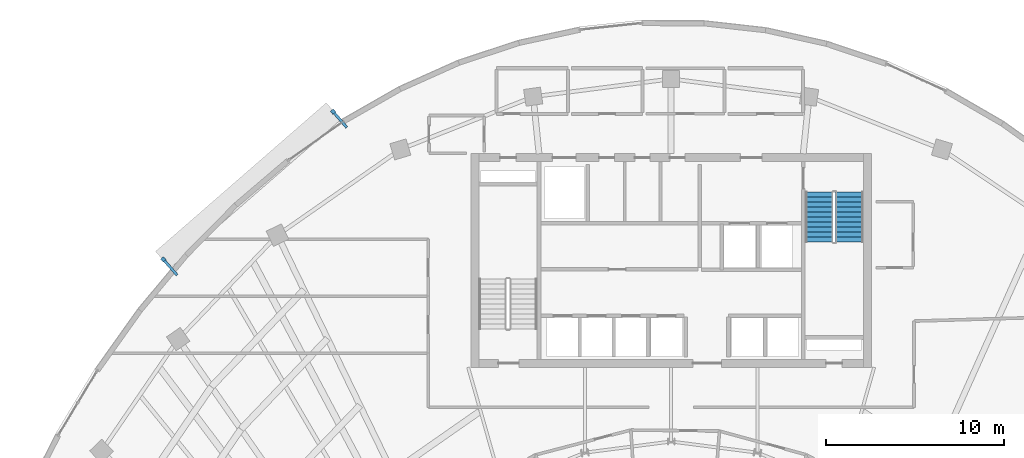
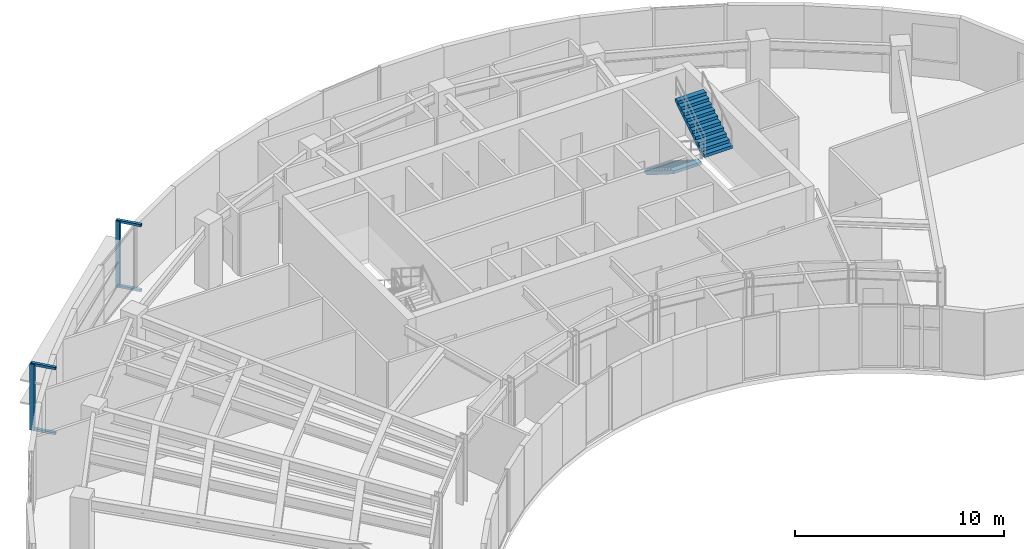
# One storey, part 11 of 12: 6 discrete accessories, 2 stair flights, 1 element without a shape of its own.
"""IFC4 building model written with IfcOpenShell, lengths in metres."""

import ifcopenshell
import ifcopenshell.guid

model = None  # the IFC model being written
_history = None  # IfcOwnerHistory: only IFC2X3 demands one
_inside = {}  # id of a spatial element -> (the spatial element, [elements in it])
_under = {}  # id of a project, library or spatial element -> (it, [spatial elements below it])
_declared = {}  # id of a project -> (the project, [libraries it declares])
_typed = {}  # id of a type object -> (the type object, [elements of that type])
_made_of = {}  # id of a material, layer set ... -> (it, [elements and type objects made of it])


def new_model(schema):
    """Start an empty IFC model of exactly this schema.

    Asked for "IFC4X3", IfcOpenShell would pick the latest addendum, in which some entities
    have other attributes; the version numbers below select the first issue.
    IFC2X3 requires an IfcOwnerHistory on every rooted entity: one is made here for all.
    """
    global model, _history
    if schema == "IFC4X3":
        model = ifcopenshell.file(schema_version=(4, 3, 0, 0))
    else:
        model = ifcopenshell.file(schema=schema)
    _inside.clear()
    _under.clear()
    _declared.clear()
    _typed.clear()
    _made_of.clear()
    _history = None
    if model.schema == "IFC2X3":
        org = make("IfcOrganization", Name="unknown")
        user = make(
            "IfcPersonAndOrganization",
            ThePerson=make("IfcPerson", FamilyName="unknown"),
            TheOrganization=org,
        )
        app = make(
            "IfcApplication",
            ApplicationDeveloper=org,
            Version="unknown",
            ApplicationFullName="unknown",
            ApplicationIdentifier="unknown",
        )
        _history = make(
            "IfcOwnerHistory",
            OwningUser=user,
            OwningApplication=app,
            ChangeAction="ADDED",
            CreationDate=0,
        )
    return model


def make(cls, **values):
    """One entity of the class cls with the attributes given. An attribute that is None is left unset."""
    return model.create_entity(
        cls, **{name: value for name, value in values.items() if value is not None}
    )


def rooted(cls, **values):
    """An entity with a GlobalId (a new one), such as an element, a storey or a relation."""
    return make(cls, GlobalId=ifcopenshell.guid.new(), OwnerHistory=_history, **values)


def si_unit(unit_type, name, prefix=None):
    """IfcSIUnit, for example si_unit("LENGTHUNIT", "METRE", prefix="MILLI")."""
    return make("IfcSIUnit", UnitType=unit_type, Prefix=prefix, Name=name)


def assignment(units):
    """IfcUnitAssignment: the units of a project."""
    return None if units is None else make("IfcUnitAssignment", Units=units)


def point(xyz):
    """IfcCartesianPoint."""
    return None if xyz is None else make("IfcCartesianPoint", Coordinates=xyz)


def direction(xyz):
    """IfcDirection."""
    return None if xyz is None else make("IfcDirection", DirectionRatios=xyz)


def frame(location, z_axis=None, x_axis=None):
    """IfcAxis2Placement3D, a coordinate frame: its origin and axes. An axis left out is left unset."""
    return make(
        "IfcAxis2Placement3D",
        Location=point(location),
        Axis=direction(z_axis),
        RefDirection=direction(x_axis),
    )


def frame_2d(location, x_axis=None):
    """IfcAxis2Placement2D, a coordinate frame in the plane: its origin and x axis."""
    return make(
        "IfcAxis2Placement2D", Location=point(location), RefDirection=direction(x_axis)
    )


def origin():
    """The frame at (0, 0, 0) with its axes left unset."""
    return frame((0.0, 0.0, 0.0))


def origin_2d():
    """The frame at (0, 0) in the plane with its x axis left unset."""
    return frame_2d((0.0, 0.0))


def place(relative_to, where):
    """IfcLocalPlacement: puts the frame where relative to a parent placement (None: the world)."""
    return make(
        "IfcLocalPlacement", PlacementRelTo=relative_to, RelativePlacement=where
    )


def context(
    kind, dimensions, precision=None, world=None, true_north=None, identifier=None
):
    """IfcGeometricRepresentationContext, for example the 3D "Model" context."""
    return make(
        "IfcGeometricRepresentationContext",
        ContextIdentifier=identifier,
        ContextType=kind,
        CoordinateSpaceDimension=dimensions,
        Precision=precision,
        WorldCoordinateSystem=world,
        TrueNorth=true_north,
    )


def subcontext(parent, identifier, kind, view, scale=None):
    """IfcGeometricRepresentationSubContext, for example "Body" below "Model"."""
    return make(
        "IfcGeometricRepresentationSubContext",
        ContextIdentifier=identifier,
        ContextType=kind,
        ParentContext=parent,
        TargetScale=scale,
        TargetView=view,
    )


def project(units=None, contexts=None):
    """IfcProject with its units and contexts."""
    return rooted(
        "IfcProject",
        Name="project",
        RepresentationContexts=contexts,
        UnitsInContext=assignment(units),
    )


def spatial(cls, under=None, at=None, **own):
    """A site, building, storey or space (cls), placed at a placement, below another one or the project."""
    s = rooted(cls, ObjectPlacement=at, **own)
    if under is not None:
        _under.setdefault(under.id(), (under, []))[1].append(s)
    return s


def polyline(points):
    """IfcPolyline through the points."""
    return make("IfcPolyline", Points=[point(p) for p in points])


def profile(cls, at=None, kind="AREA", **sizes):
    """A parametric profile (cls). Its sizes go by their IFC names, for example OverallWidth=200.0."""
    return make(cls, ProfileType=kind, Position=at, **sizes)


def rectangle(**sizes):
    """IfcRectangleProfileDef."""
    return profile("IfcRectangleProfileDef", **sizes)


def outline(outer, holes=None, kind="AREA"):
    """IfcArbitraryClosedProfileDef: a profile drawn as a closed curve; with holes, ...WithVoids."""
    if holes is None:
        return make("IfcArbitraryClosedProfileDef", ProfileType=kind, OuterCurve=outer)
    return make(
        "IfcArbitraryProfileDefWithVoids",
        ProfileType=kind,
        OuterCurve=outer,
        InnerCurves=holes,
    )


def extrude(swept, where, along, depth):
    """IfcExtrudedAreaSolid: the profile swept, set in the frame where, extruded along a direction by depth."""
    return make(
        "IfcExtrudedAreaSolid",
        SweptArea=swept,
        Position=where,
        ExtrudedDirection=direction(along),
        Depth=depth,
    )


def shape(context_of_items, identifier, shape_type, items):
    """IfcShapeRepresentation: the items that make up one representation, for example the "Body"."""
    return make(
        "IfcShapeRepresentation",
        ContextOfItems=context_of_items,
        RepresentationIdentifier=identifier,
        RepresentationType=shape_type,
        Items=items,
    )


def source(mapping_origin, context_of_items, identifier, shape_type, items):
    """IfcRepresentationMap: a shape defined once, which mapped items show again and again."""
    return make(
        "IfcRepresentationMap",
        MappingOrigin=mapping_origin,
        MappedRepresentation=shape(context_of_items, identifier, shape_type, items),
    )


def transform(
    local_origin,
    x_axis=None,
    y_axis=None,
    z_axis=None,
    scale=None,
    scale2=None,
    scale3=None,
    uniform=True,
):
    """IfcCartesianTransformationOperator3D, or its non-uniform kind. x_axis, y_axis, z_axis: its Axis1, 2, 3."""
    if uniform:
        return make(
            "IfcCartesianTransformationOperator3D",
            Axis1=direction(x_axis),
            Axis2=direction(y_axis),
            LocalOrigin=point(local_origin),
            Scale=scale,
            Axis3=direction(z_axis),
        )
    return make(
        "IfcCartesianTransformationOperator3DnonUniform",
        Axis1=direction(x_axis),
        Axis2=direction(y_axis),
        LocalOrigin=point(local_origin),
        Scale=scale,
        Axis3=direction(z_axis),
        Scale2=scale2,
        Scale3=scale3,
    )


def mapped(mapping_source, mapping_target):
    """IfcMappedItem: shows the shape of a source again, moved by a transform."""
    return make(
        "IfcMappedItem", MappingSource=mapping_source, MappingTarget=mapping_target
    )


def material(Name=None, Category=None):
    """IfcMaterial."""
    return make("IfcMaterial", Name=Name, Category=Category)


def made_of(thing, what):
    """Note that an element or type object is made of a material, layer set ...; save() writes the relation."""
    if what is not None:
        _made_of.setdefault(what.id(), (what, []))[1].append(thing)
    return thing


def type_object(cls, material=None, **own):
    """A type object (cls), such as IfcWallType, which elements share."""
    return made_of(rooted(cls, **own), material)


def type_shapes(of_type, sources):
    """Give a type object the sources (RepresentationMaps) that its elements show as mapped items."""
    of_type.RepresentationMaps = sources


def element(
    cls,
    number,
    at=None,
    inside=None,
    cuts=None,
    type_object=None,
    material=None,
    context=None,
    identifier="Body",
    shape_type=None,
    held_by="IfcProductDefinitionShape",
    body=None,
    shapes=None,
    **own,
):
    """One element of the class cls, such as IfcWall. Its Tag is "e" and its number.

    at: its placement. inside: the storey or other place that contains it. cuts: it is an
    opening in that element (IfcRelVoidsElement). A single representation is given by context,
    identifier, shape_type and body (its items); several are given by shapes. held_by: the class
    of the entity that holds the representations. save() writes the other relations.
    """
    e = rooted(cls, Tag="e%d" % number, ObjectPlacement=at, **own)
    if body is not None:
        shapes = [shape(context, identifier, shape_type, body)]
    if shapes is not None:
        e.Representation = make(held_by, Representations=shapes)
    if inside is not None:
        _inside.setdefault(inside.id(), (inside, []))[1].append(e)
    if cuts is not None:
        rooted(
            "IfcRelVoidsElement", RelatingBuildingElement=cuts, RelatedOpeningElement=e
        )
    if type_object is not None:
        _typed.setdefault(type_object.id(), (type_object, []))[1].append(e)
    return made_of(e, material)


def aggregate(whole, parts):
    """IfcRelAggregates: a whole, such as a stair, and the parts it consists of."""
    return rooted("IfcRelAggregates", RelatingObject=whole, RelatedObjects=parts)


def save(model, path):
    """Write the relations noted so far, then the file.

    IfcRelAggregates (storeys below a building ...), IfcRelContainedInSpatialStructure (elements
    in a storey), IfcRelDefinesByType, IfcRelAssociatesMaterial and IfcRelDeclares: one each for
    every whole, place, type object, material and project.
    """
    for whole, parts in _under.values():
        aggregate(whole, parts)
    for where, things in _inside.values():
        rooted(
            "IfcRelContainedInSpatialStructure",
            RelatedElements=things,
            RelatingStructure=where,
        )
    for kind, things in _typed.values():
        rooted("IfcRelDefinesByType", RelatedObjects=things, RelatingType=kind)
    for what, things in _made_of.values():
        rooted("IfcRelAssociatesMaterial", RelatedObjects=things, RelatingMaterial=what)
    for by, libraries in _declared.values():
        rooted("IfcRelDeclares", RelatingContext=by, RelatedDefinitions=libraries)
    model.write(path)


model = new_model("IFC4")

# Units and contexts
model_context = context("Model", 3, precision=1e-05, world=origin(), true_north=direction((0.0, 1.0)))
body_context = subcontext(model_context, "Body", "Model", "MODEL_VIEW")
ifc_project = project(units=[si_unit("LENGTHUNIT", "METRE"), si_unit("AREAUNIT", "SQUARE_METRE"), si_unit("VOLUMEUNIT", "CUBIC_METRE"), si_unit("PLANEANGLEUNIT", "RADIAN"), si_unit("MASSUNIT", "GRAM", prefix="KILO")], contexts=[model_context])

# Site, building, storey
site_placement = place(None, origin())
site = spatial("IfcSite", under=ifc_project, at=site_placement, CompositionType="ELEMENT")
building_placement = place(site_placement, origin())
building = spatial("IfcBuilding", under=site, at=building_placement, Name="Breltana Convention Tower", CompositionType="ELEMENT")
storey_placement = place(building_placement, frame((0.0, 0.0, 243.0)))
storey = spatial("IfcBuildingStorey", under=building, at=storey_placement, Name="L59", CompositionType="ELEMENT", Elevation=243.0)

# Stair, stair flights
ifc_material_1 = material(Name="Concrete C40/50", Category="concrete")
stair_type = type_object("IfcStairType", Name="ST-DOG-1560-R177", PredefinedType="HALF_TURN_STAIR", material=ifc_material_1)
stair_placement = place(storey_placement, origin())
stair = element("IfcStair", 1, at=stair_placement, inside=storey, type_object=stair_type, Name="L59 Protected Core Exit Stair ST-2", PredefinedType="HALF_TURN_STAIR")
stair_flight_type = type_object("IfcStairFlightType", Name="STF-DOG-1560-N11-R177", PredefinedType="STRAIGHT", material=ifc_material_1)
stair_flight_1_placement = place(storey_placement, frame((56.31005859375, 70.0400390625, 0.0), z_axis=(0.0, 0.0, 1.0), x_axis=(0.0, -1.0, 0.0)))
stair_flight_1 = element("IfcStairFlight", 2, at=stair_flight_1_placement, type_object=stair_flight_type, Name="ST-2 flight 1", NumberOfRisers=11, NumberOfTreads=10, PredefinedType="STRAIGHT", RiserHeight=0.177272727, TreadLength=0.28, context=body_context, shape_type="SweptSolid", body=[
    extrude(outline(polyline([(0.0, 0.0), (0.0, 0.17724609375), (0.280029296875, 0.17724609375), (0.280029296875, 0.3544921875), (0.56005859375, 0.3544921875), (0.56005859375, 0.53173828125), (0.840087890625, 0.53173828125), (0.840087890625, 0.708984375), (1.1201171875, 0.708984375), (1.1201171875, 0.886474609375), (1.39990234375, 0.886474609375), (1.39990234375, 1.063720703125), (1.679931640625, 1.063720703125), (1.679931640625, 1.240966796875), (1.9599609375, 1.240966796875), (1.9599609375, 1.418212890625), (2.239990234375, 1.418212890625), (2.239990234375, 1.595458984375), (2.52001953125, 1.595458984375), (2.52001953125, 1.772705078125), (2.800048828125, 1.772705078125), (2.800048828125, 1.949951171875), (2.800048828125, 1.59521484375), (0.2802734375, 0.0), (0.0, 0.0)])), frame((0.0, 0.780029296875, 0.0), z_axis=(0.0, -1.0, 0.0), x_axis=(1.0, 0.0, 0.0)), (0.0, 0.0, 1.0), 1.56005859375),
])
stair_flight_2_placement = place(storey_placement, frame((58.02001953125, 67.239990234375, 1.949951171875), z_axis=(0.0, 0.0, 1.0), x_axis=(0.0, 1.0, 0.0)))
stair_flight_2 = element("IfcStairFlight", 3, at=stair_flight_2_placement, type_object=stair_flight_type, Name="ST-2 flight 2", NumberOfRisers=11, NumberOfTreads=10, PredefinedType="STRAIGHT", RiserHeight=0.177272727, TreadLength=0.28, context=body_context, shape_type="SweptSolid", body=[
    extrude(outline(polyline([(0.0, 0.0), (0.0, 0.17724609375), (0.280029296875, 0.17724609375), (0.280029296875, 0.3544921875), (0.56005859375, 0.3544921875), (0.56005859375, 0.53173828125), (0.840087890625, 0.53173828125), (0.840087890625, 0.708984375), (1.1201171875, 0.708984375), (1.1201171875, 0.886474609375), (1.39990234375, 0.886474609375), (1.39990234375, 1.063720703125), (1.679931640625, 1.063720703125), (1.679931640625, 1.240966796875), (1.9599609375, 1.240966796875), (1.9599609375, 1.418212890625), (2.239990234375, 1.418212890625), (2.239990234375, 1.595458984375), (2.52001953125, 1.595458984375), (2.52001953125, 1.772705078125), (2.800048828125, 1.772705078125), (2.800048828125, 1.949951171875), (2.800048828125, 1.59521484375), (0.2802734375, 0.0), (0.0, 0.0)])), frame((0.0, 0.780029296875, 0.0), z_axis=(0.0, -1.0, 0.0), x_axis=(1.0, 0.0, 0.0)), (0.0, 0.0, 1.0), 1.56005859375),
])
aggregate(stair, [stair_flight_1, stair_flight_2])

# Discrete accessories
ifc_material_2 = material(Name="Steel S355", Category="steel")
discrete_accessory_type_1 = type_object("IfcDiscreteAccessoryType", Name="ACC-DSF-BRACKET-150", PredefinedType="BRACKET", material=ifc_material_2)
shared_shape_1 = source(origin(), body_context, "Body", "SweptSolid", [
    extrude(rectangle(XDim=1.239990234375, YDim=0.14990234375, at=origin_2d()), origin(), (0.0, 0.0, 1.0), 0.139892578125),
])
type_shapes(discrete_accessory_type_1, [shared_shape_1])
for number, where, z_axis, x_axis, name in (
    (4, (19.84619140625, 65.84716796875, -0.16015625), (0.0, 0.0, 1.0), (-0.656450428512, 0.754369163544, 0.0), "L59 double-skin slab stand-off bracket 1.1B"),
    (5, (19.84619140625, 65.84716796875, 3.64990234375), (0.0, 0.0, 1.0), (-0.656450428512, 0.754369163544, 0.0), "L59 double-skin slab stand-off bracket 1.1T"),
    (6, (29.37841796875, 74.14208984375, -0.16015625), (0.0, 0.0, 1.0), (-0.656450428512, 0.754369163544, 0.0), "L59 double-skin slab stand-off bracket 1.2B"),
    (7, (29.37841796875, 74.14208984375, 3.64990234375), (0.0, 0.0, 1.0), (-0.656450428512, 0.754369163544, 0.0), "L59 double-skin slab stand-off bracket 1.2T"),
):
    element("IfcDiscreteAccessory", number, at=place(storey_placement, frame(where, z_axis=z_axis, x_axis=x_axis)), inside=storey, type_object=discrete_accessory_type_1, Name=name, PredefinedType="BRACKET", context=body_context, shape_type="MappedRepresentation", body=[
        mapped(shared_shape_1, transform((0.0, 0.0, 0.0), scale=1.0)),
    ])
discrete_accessory_type_2 = type_object("IfcDiscreteAccessoryType", Name="ACC-DSF-CARRIER-150", PredefinedType="BRACKET", material=ifc_material_2)
shared_shape_2 = source(origin(), body_context, "Body", "SweptSolid", [
    extrude(rectangle(XDim=0.219970703125, YDim=0.219970703125, at=origin_2d()), origin(), (0.0, 0.0, 1.0), 3.8701171875),
])
for number, where, z_axis, x_axis, name in (
    (8, (19.478515625, 66.26953125, -0.1201171875), (0.0, 0.0, 1.0), (-0.656450428512, 0.754369163544, 0.0), "L59 double-skin outer vertical carrier 1.1"),
    (9, (29.0107421875, 74.564453125, -0.1201171875), (0.0, 0.0, 1.0), (-0.656450428512, 0.754369163544, 0.0), "L59 double-skin outer vertical carrier 1.2"),
):
    element("IfcDiscreteAccessory", number, at=place(storey_placement, frame(where, z_axis=z_axis, x_axis=x_axis)), inside=storey, type_object=discrete_accessory_type_2, Name=name, PredefinedType="BRACKET", context=body_context, shape_type="MappedRepresentation", body=[
        mapped(shared_shape_2, transform((0.0, 0.0, 0.0), scale=1.0)),
    ])

save(model, "model.ifc")
